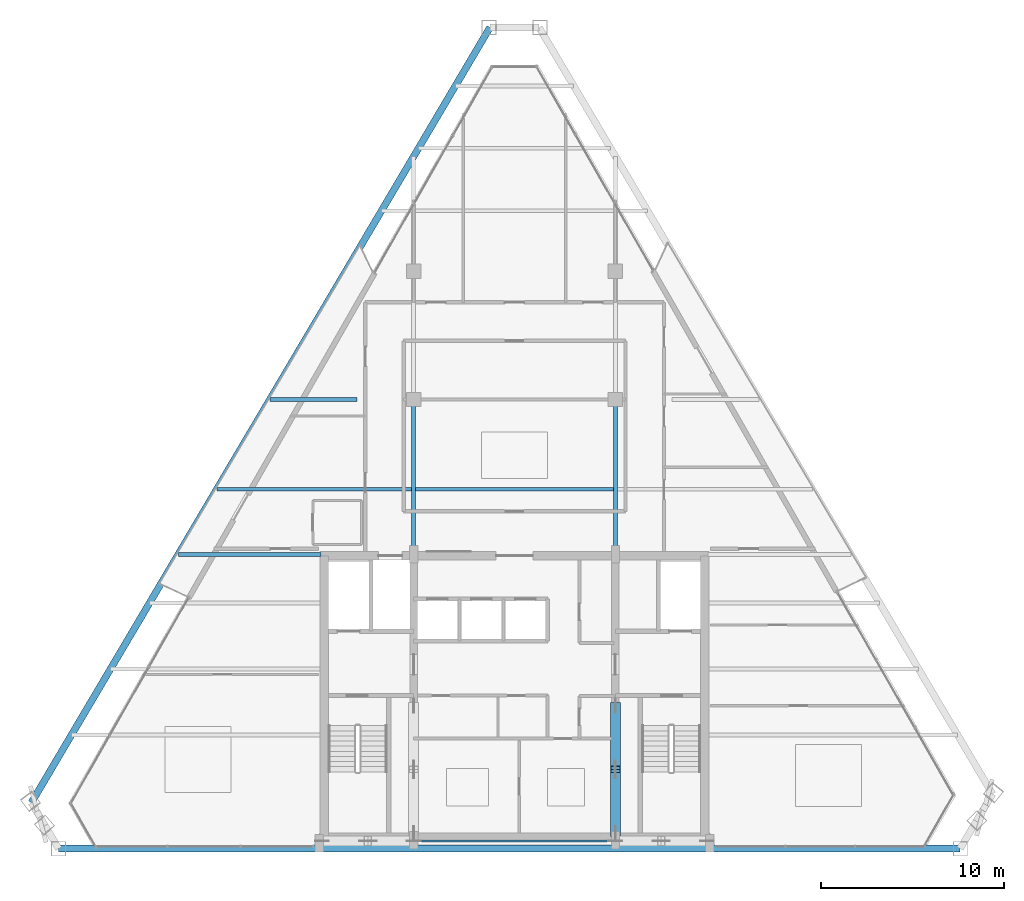
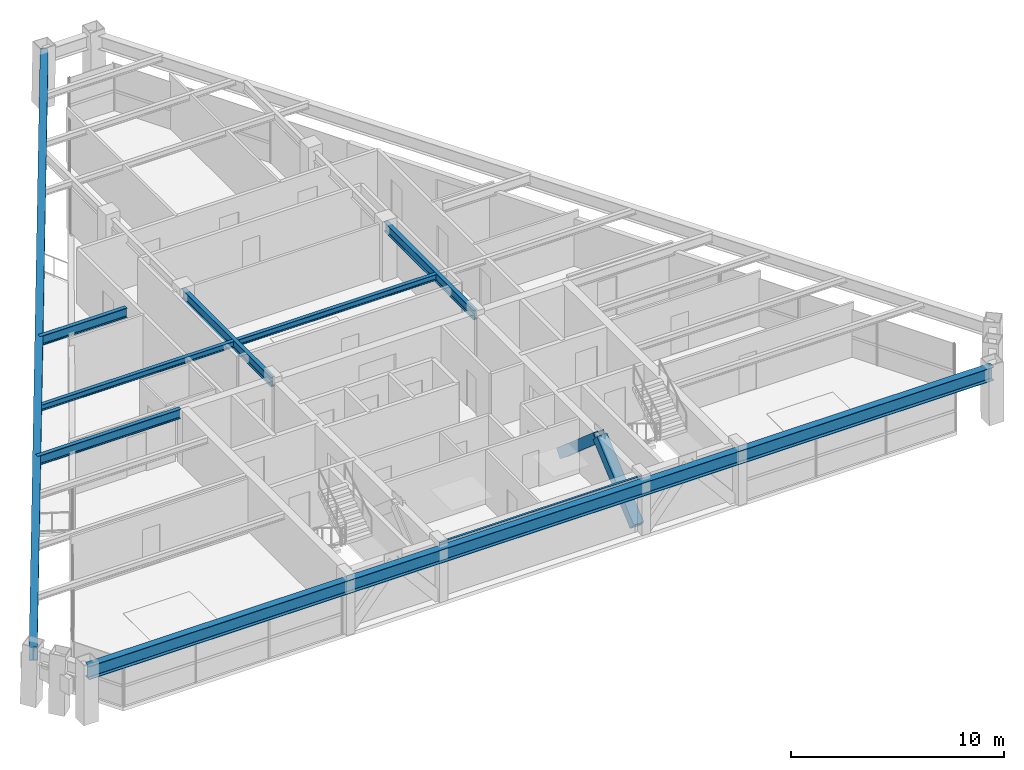
# One storey, part 3 of 13: 9 beams, 2 members.
"""IFC4 building model written with IfcOpenShell, lengths in metres."""

from ifc_helpers import new_model, si_unit, direction, frame, origin, origin_2d, place, context, subcontext, project, spatial, hollow_rectangle, i_section, extrude, source, transform, mapped, material, material_profile, profile_set, type_object, type_shapes, element, save


model = new_model("IFC4")

# Units and contexts
model_context = context("Model", 3, precision=1e-05, world=origin(), true_north=direction((0.0, 1.0)))
body_context = subcontext(model_context, "Body", "Model", "MODEL_VIEW")
ifc_project = project(units=[si_unit("LENGTHUNIT", "METRE"), si_unit("AREAUNIT", "SQUARE_METRE"), si_unit("VOLUMEUNIT", "CUBIC_METRE"), si_unit("PLANEANGLEUNIT", "RADIAN"), si_unit("MASSUNIT", "GRAM", prefix="KILO")], contexts=[model_context])

# Site, building, storey
site_placement = place(None, origin())
site = spatial("IfcSite", under=ifc_project, at=site_placement, CompositionType="ELEMENT")
building_placement = place(site_placement, origin())
building = spatial("IfcBuilding", under=site, at=building_placement, Name="Varnakhor Terracotta Tower", CompositionType="ELEMENT")
storey_placement = place(building_placement, frame((0.0, 0.0, 300.60009765625)))
storey = spatial("IfcBuildingStorey", under=building, at=storey_placement, Name="L79", CompositionType="ELEMENT", Elevation=300.60009765625)

# Beams
ifc_material = material(Name="Steel S355", Category="steel")
ifc_material_profile_1 = material_profile(ifc_material, i_section(OverallWidth=0.1201171875, OverallDepth=0.239990234375, WebThickness=0.006103515625, FlangeThickness=0.009765625, FilletRadius=0.01806640625, at=origin_2d()), Name="IPE240")
ifc_profile_set_1 = profile_set([ifc_material_profile_1], Name="Steel S355")
beam_type_1 = type_object("IfcBeamType", Name="LNT-IPE240", PredefinedType="LINTEL", material=ifc_profile_set_1)
shared_shape_1 = source(origin(), body_context, "Body", "SweptSolid", [
    extrude(i_section(OverallWidth=0.1201171875, OverallDepth=0.239990234375, WebThickness=0.006103515625, FlangeThickness=0.009765625, FilletRadius=0.01806640625, at=origin_2d()), origin(), (0.0, 0.0, 1.0), 11.0),
])
type_shapes(beam_type_1, [shared_shape_1])
beam_1_placement = place(storey_placement, frame((-5.5, 0.419921875, 3.02978515625), z_axis=(1.0, 0.0, 0.0), x_axis=(0.0, 1.0, 0.0)))
element("IfcBeam", 1, at=beam_1_placement, inside=storey, type_object=beam_type_1, Name="L79 Core South Coupling Lintel", PredefinedType="LINTEL", context=body_context, shape_type="MappedRepresentation", body=[
    mapped(shared_shape_1, transform((0.0, 0.0, 0.0), scale=1.0)),
])
ifc_material_profile_2 = material_profile(ifc_material, i_section(OverallWidth=0.214111328125, OverallDepth=0.549072265625, WebThickness=0.014892578125, FlangeThickness=0.02392578125, FilletRadius=0.01806640625, at=origin_2d()), Name="W21X93")
ifc_profile_set_2 = profile_set([ifc_material_profile_2], Name="Steel S355")
beam_type_2 = type_object("IfcBeamType", Name="BM-W21X93", PredefinedType="BEAM", material=ifc_profile_set_2)
shared_shape_2 = source(origin(), body_context, "Body", "SweptSolid", [
    extrude(i_section(OverallWidth=0.214111328125, OverallDepth=0.549072265625, WebThickness=0.014892578125, FlangeThickness=0.02392578125, FilletRadius=0.01806640625, at=origin_2d()), origin(), (0.0, 0.0, 1.0), 8.449951171875),
])
type_shapes(beam_type_2, [shared_shape_2])
for number, where, z_axis, x_axis, name in (
    (2, (-5.5, 16.050048828125, 2.87548828125), (0.0, 1.0, 0.0), (-1.0, 0.0, 0.0), "L79 Primary Girder NS1-W"),
    (3, (5.5, 16.050048828125, 2.87548828125), (0.0, 1.0, 0.0), (-1.0, 0.0, 0.0), "L79 Primary Girder NS1-E"),
):
    element("IfcBeam", number, at=place(storey_placement, frame(where, z_axis=z_axis, x_axis=x_axis)), inside=storey, type_object=beam_type_2, Name=name, PredefinedType="BEAM", context=body_context, shape_type="MappedRepresentation", body=[
        mapped(shared_shape_2, transform((0.0, 0.0, 0.0), scale=1.0)),
    ])
ifc_material_profile_3 = material_profile(ifc_material, i_section(OverallWidth=0.202880859375, OverallDepth=0.346923828125, WebThickness=0.0078125, FlangeThickness=0.013427734375, FilletRadius=0.01806640625, at=origin_2d()), Name="W14X43")
ifc_profile_set_3 = profile_set([ifc_material_profile_3], Name="Steel S355")
beam_type_3 = type_object("IfcBeamType", Name="JST-W14X43", PredefinedType="JOIST", material=ifc_profile_set_3)
shared_shape_3 = source(origin(), body_context, "Body", "SweptSolid", [
    extrude(i_section(OverallWidth=0.202880859375, OverallDepth=0.346923828125, WebThickness=0.0078125, FlangeThickness=0.013427734375, FilletRadius=0.01806640625, at=origin_2d()), origin(), (0.0, 0.0, 1.0), 10.7939453125),
])
beam_2_placement = place(storey_placement, frame((-5.39697265625, 19.60009765625, 2.976318359375), z_axis=(1.0, 0.0, 0.0), x_axis=(0.0, 1.0, 0.0)))
element("IfcBeam", 4, at=beam_2_placement, inside=storey, type_object=beam_type_3, Name="L79 Composite Floor Joist 4-2", PredefinedType="JOIST", context=body_context, shape_type="MappedRepresentation", body=[
    mapped(shared_shape_3, transform((0.0, 0.0, 0.0), scale=1.0)),
])

# Members
ifc_material_profile_4 = material_profile(ifc_material, hollow_rectangle(XDim=0.550048828125, YDim=0.550048828125, WallThickness=0.034912109375, at=origin_2d()), Name="HSS550X550X35")
ifc_profile_set_4 = profile_set([ifc_material_profile_4], Name="Steel S355")
member_type = type_object("IfcMemberType", Name="MBR-MEGA-550", PredefinedType="BRACE", material=ifc_profile_set_4)
shared_shape_4 = source(origin(), body_context, "Body", "SweptSolid", [
    extrude(hollow_rectangle(XDim=0.550048828125, YDim=0.550048828125, WallThickness=0.034912109375, at=origin_2d()), origin(), (0.0, 0.0, 1.0), 4.5908203125),
])
for number, where, z_axis, x_axis, name in (
    (5, (5.5, 0.85009765625, 0.0), (0.0, 0.756931814743, 0.653493862121), (-1.0, 0.0, 0.0), "L79 Core Coupled Brace CWEA"),
    (6, (5.5, 7.800048828125, 0.0), (0.0, -0.756954524742, 0.653467556557), (1.0, 0.0, 0.0), "L79 Core Coupled Brace CWEB"),
):
    element("IfcMember", number, at=place(storey_placement, frame(where, z_axis=z_axis, x_axis=x_axis)), inside=storey, type_object=member_type, Name=name, PredefinedType="BRACE", context=body_context, shape_type="MappedRepresentation", body=[
        mapped(shared_shape_4, transform((0.0, 0.0, 0.0), scale=1.0)),
    ])

# Beams
ifc_material_profile_5 = material_profile(ifc_material, i_section(OverallWidth=0.381103515625, OverallDepth=0.77294921875, WebThickness=0.01708984375, FlangeThickness=0.027099609375, FilletRadius=0.01806640625, at=origin_2d()), Name="W30X173")
ifc_profile_set_5 = profile_set([ifc_material_profile_5], Name="Steel S355")
beam_type_4 = type_object("IfcBeamType", Name="BM-W30X173", PredefinedType="BEAM", material=ifc_profile_set_5)
shared_shape_5 = source(origin(), body_context, "Body", "SweptSolid", [
    extrude(i_section(OverallWidth=0.381103515625, OverallDepth=0.77294921875, WebThickness=0.01708984375, FlangeThickness=0.027099609375, FilletRadius=0.01806640625, at=origin_2d()), origin(), (0.0, 0.0, 1.0), 49.168212890625),
])
beam_3_placement = place(storey_placement, frame((-24.865478515625, 0.0, 2.763427734375), z_axis=(1.0, 0.0, 0.0), x_axis=(0.0, 1.0, 0.0)))
element("IfcBeam", 7, at=beam_3_placement, inside=storey, type_object=beam_type_4, Name="L79 Perimeter Spandrel 1", PredefinedType="BEAM", context=body_context, shape_type="MappedRepresentation", body=[
    mapped(shared_shape_5, transform((0.0, 0.0, 0.0), scale=1.0)),
])
shared_shape_6 = source(origin(), body_context, "Body", "SweptSolid", [
    extrude(i_section(OverallWidth=0.381103515625, OverallDepth=0.77294921875, WebThickness=0.01708984375, FlangeThickness=0.027099609375, FilletRadius=0.01806640625, at=origin_2d()), origin(), (0.0, 0.0, 1.0), 49.12451171875),
])
beam_4_placement = place(storey_placement, frame((-1.3408203125, 44.791748046875, 2.763427734375), z_axis=(-0.50910064059, -0.860706998781, 0.0), x_axis=(0.860706998781, -0.50910064059, 0.0)))
element("IfcBeam", 8, at=beam_4_placement, inside=storey, type_object=beam_type_4, Name="L79 Perimeter Spandrel 6", PredefinedType="BEAM", context=body_context, shape_type="MappedRepresentation", body=[
    mapped(shared_shape_6, transform((0.0, 0.0, 0.0), scale=1.0)),
])
shared_shape_7 = source(origin(), body_context, "Body", "SweptSolid", [
    extrude(i_section(OverallWidth=0.214111328125, OverallDepth=0.549072265625, WebThickness=0.014892578125, FlangeThickness=0.02392578125, FilletRadius=0.01806640625, at=origin_2d()), origin(), (0.0, 0.0, 1.0), 7.791259765625),
])
beam_5_placement = place(storey_placement, frame((-18.34130859375, 16.050048828125, 2.87548828125), z_axis=(1.0, 0.0, 0.0), x_axis=(0.0, 1.0, 0.0)))
element("IfcBeam", 9, at=beam_5_placement, inside=storey, type_object=beam_type_2, Name="L79 Wing Girder W", PredefinedType="BEAM", context=body_context, shape_type="MappedRepresentation", body=[
    mapped(shared_shape_7, transform((0.0, 0.0, 0.0), scale=1.0)),
])
shared_shape_8 = source(origin(), body_context, "Body", "SweptSolid", [
    extrude(i_section(OverallWidth=0.214111328125, OverallDepth=0.549072265625, WebThickness=0.014892578125, FlangeThickness=0.02392578125, FilletRadius=0.01806640625, at=origin_2d()), origin(), (0.0, 0.0, 1.0), 4.7431640625),
])
beam_6_placement = place(storey_placement, frame((-13.34326171875, 24.5, 2.87548828125), z_axis=(1.0, 0.0, 0.0), x_axis=(0.0, 1.0, 0.0)))
element("IfcBeam", 10, at=beam_6_placement, inside=storey, type_object=beam_type_2, Name="L79 Turbine Trim Girder 2W", PredefinedType="BEAM", context=body_context, shape_type="MappedRepresentation", body=[
    mapped(shared_shape_8, transform((0.0, 0.0, 0.0), scale=1.0)),
])
shared_shape_9 = source(origin(), body_context, "Body", "SweptSolid", [
    extrude(i_section(OverallWidth=0.202880859375, OverallDepth=0.346923828125, WebThickness=0.0078125, FlangeThickness=0.013427734375, FilletRadius=0.01806640625, at=origin_2d()), origin(), (0.0, 0.0, 1.0), 10.638427734375),
])
beam_7_placement = place(storey_placement, frame((-16.241455078125, 19.60009765625, 2.976318359375), z_axis=(1.0, 0.0, 0.0), x_axis=(0.0, 1.0, 0.0)))
element("IfcBeam", 11, at=beam_7_placement, inside=storey, type_object=beam_type_3, Name="L79 Composite Floor Joist 4-1", PredefinedType="JOIST", context=body_context, shape_type="MappedRepresentation", body=[
    mapped(shared_shape_9, transform((0.0, 0.0, 0.0), scale=1.0)),
])

save(model, "model.ifc")
